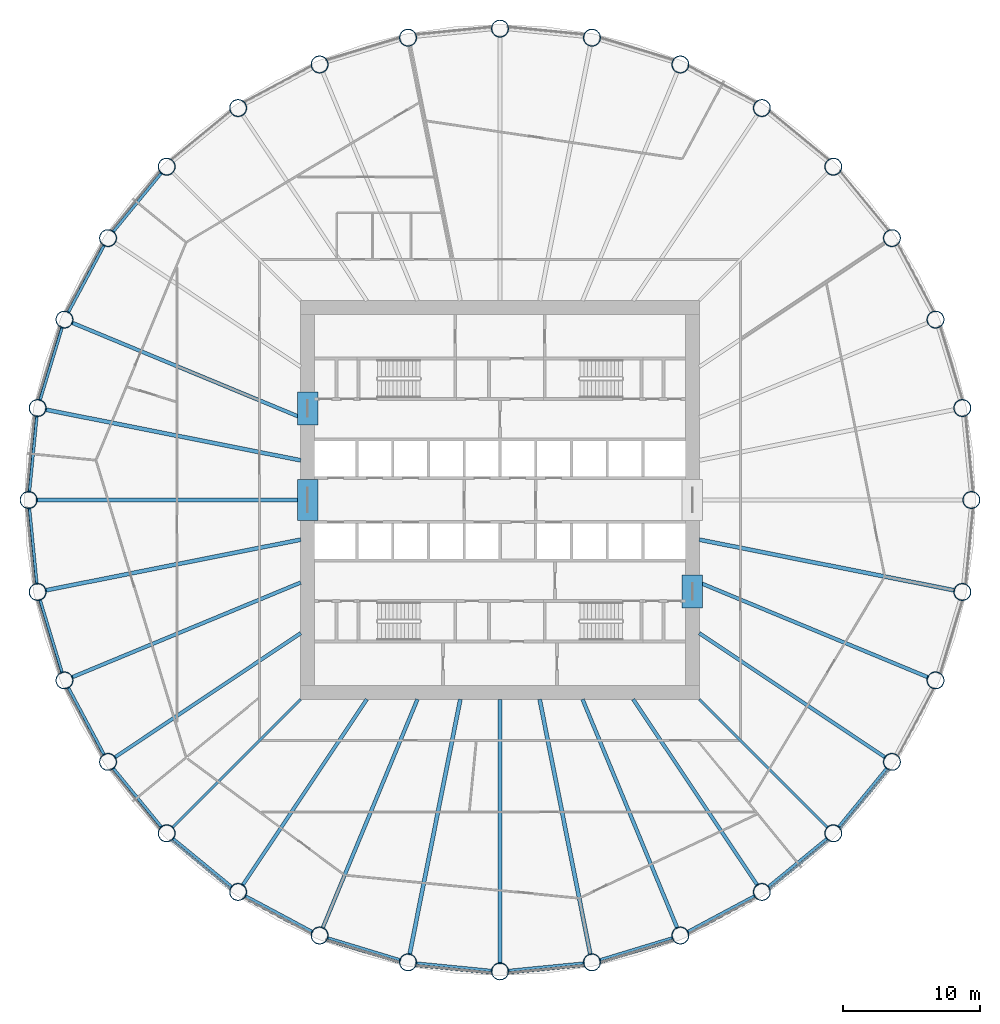
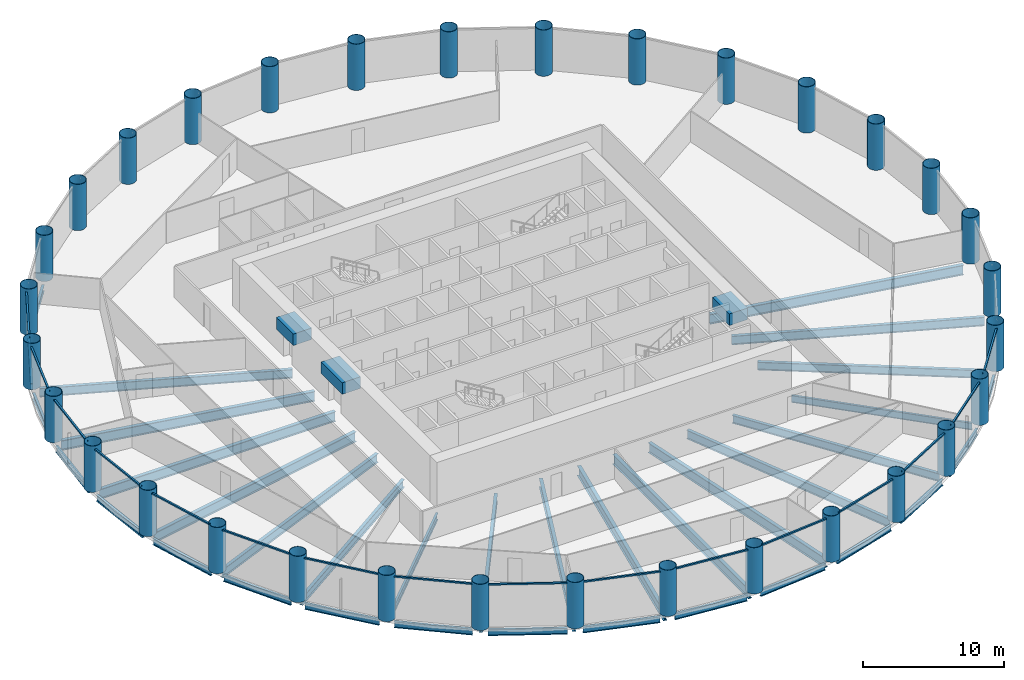
# One storey, part 1 of 8: 38 beams, 32 columns, 16 members, 16 elements without a shape of their own.
"""IFC4 building model written with IfcOpenShell, lengths in metres."""

from ifc_helpers import new_model, si_unit, direction, frame, origin, origin_2d, place, context, subcontext, project, spatial, rectangle, hollow_circle, i_section, extrude, material, material_profile, profile_set, type_object, element, aggregate, save


model = new_model("IFC4")

# Units and contexts
model_context = context("Model", 3, precision=1e-05, world=origin(), true_north=direction((0.0, 1.0)))
body_context = subcontext(model_context, "Body", "Model", "MODEL_VIEW")
ifc_project = project(units=[si_unit("LENGTHUNIT", "METRE"), si_unit("AREAUNIT", "SQUARE_METRE"), si_unit("VOLUMEUNIT", "CUBIC_METRE"), si_unit("PLANEANGLEUNIT", "RADIAN"), si_unit("MASSUNIT", "GRAM", prefix="KILO")], contexts=[model_context])

# Site, building, storey
site_placement = place(None, origin())
site = spatial("IfcSite", under=ifc_project, at=site_placement, CompositionType="ELEMENT")
building_placement = place(site_placement, origin())
building = spatial("IfcBuilding", under=site, at=building_placement, Name="Corvane Civic Tower", CompositionType="ELEMENT")
storey_placement = place(building_placement, frame((0.0, 0.0, 134.5)))
storey = spatial("IfcBuildingStorey", under=building, at=storey_placement, Name="L31", CompositionType="ELEMENT", Elevation=134.5)

# Columns
ifc_material_1 = material(Name="Steel ASTM A572 Gr 50", Category="steel")
ifc_material_profile_1 = material_profile(ifc_material_1, hollow_circle(Radius=0.625, WallThickness=0.035888671875, at=origin_2d()), Name="CHS1250X36")
ifc_profile_set_1 = profile_set([ifc_material_profile_1], Name="Steel ASTM A572 Gr 50")
column_type = type_object("IfcColumnType", Name="COMPOSITE COLUMN CHS1250X36", PredefinedType="COLUMN", material=ifc_profile_set_1)
for number, where, z_axis, x_axis, name in (
    (1, (0.0, 34.300048828125, 0.0), (0.0, 0.0, 1.0), (1.0, 0.0, 0.0), "COL-L31-B01"),
    (2, (6.691650390625, 33.640869140625, 0.0), (0.0, 0.0, 1.0), (1.0, 0.0, 0.0), "COL-L31-B02"),
    (3, (13.1259765625, 31.68896484375, 0.0), (0.0, 0.0, 1.0), (1.0, 0.0, 0.0), "COL-L31-B03"),
    (4, (19.05615234375, 28.519287109375, 0.0), (0.0, 0.0, 1.0), (1.0, 0.0, 0.0), "COL-L31-B04"),
    (5, (24.253662109375, 24.253662109375, 0.0), (0.0, 0.0, 1.0), (1.0, 0.0, 0.0), "COL-L31-B05"),
    (6, (28.519287109375, 19.05615234375, 0.0), (0.0, 0.0, 1.0), (1.0, 0.0, 0.0), "COL-L31-B06"),
    (7, (31.68896484375, 13.1259765625, 0.0), (0.0, 0.0, 1.0), (1.0, 0.0, 0.0), "COL-L31-B07"),
    (8, (33.640869140625, 6.691650390625, 0.0), (0.0, 0.0, 1.0), (1.0, 0.0, 0.0), "COL-L31-B08"),
    (9, (34.300048828125, 0.0, 0.0), (0.0, 0.0, 1.0), (1.0, 0.0, 0.0), "COL-L31-B09"),
    (10, (33.640869140625, -6.691650390625, 0.0), (0.0, 0.0, 1.0), (1.0, 0.0, 0.0), "COL-L31-B10"),
    (11, (31.68896484375, -13.1259765625, 0.0), (0.0, 0.0, 1.0), (1.0, 0.0, 0.0), "COL-L31-B11"),
    (12, (28.519287109375, -19.05615234375, 0.0), (0.0, 0.0, 1.0), (1.0, 0.0, 0.0), "COL-L31-B12"),
    (13, (24.253662109375, -24.253662109375, 0.0), (0.0, 0.0, 1.0), (1.0, 0.0, 0.0), "COL-L31-B13"),
    (14, (19.05615234375, -28.519287109375, 0.0), (0.0, 0.0, 1.0), (1.0, 0.0, 0.0), "COL-L31-B14"),
    (15, (13.1259765625, -31.68896484375, 0.0), (0.0, 0.0, 1.0), (1.0, 0.0, 0.0), "COL-L31-B15"),
    (16, (6.691650390625, -33.640869140625, 0.0), (0.0, 0.0, 1.0), (1.0, 0.0, 0.0), "COL-L31-B16"),
    (17, (0.0, -34.300048828125, 0.0), (0.0, 0.0, 1.0), (1.0, 0.0, 0.0), "COL-L31-B17"),
    (18, (-6.691650390625, -33.640869140625, 0.0), (0.0, 0.0, 1.0), (1.0, 0.0, 0.0), "COL-L31-B18"),
    (19, (-13.1259765625, -31.68896484375, 0.0), (0.0, 0.0, 1.0), (1.0, 0.0, 0.0), "COL-L31-B19"),
    (20, (-19.05615234375, -28.519287109375, 0.0), (0.0, 0.0, 1.0), (1.0, 0.0, 0.0), "COL-L31-B20"),
    (21, (-24.253662109375, -24.253662109375, 0.0), (0.0, 0.0, 1.0), (1.0, 0.0, 0.0), "COL-L31-B21"),
    (22, (-28.519287109375, -19.05615234375, 0.0), (0.0, 0.0, 1.0), (1.0, 0.0, 0.0), "COL-L31-B22"),
    (23, (-31.68896484375, -13.1259765625, 0.0), (0.0, 0.0, 1.0), (1.0, 0.0, 0.0), "COL-L31-B23"),
    (24, (-33.640869140625, -6.691650390625, 0.0), (0.0, 0.0, 1.0), (1.0, 0.0, 0.0), "COL-L31-B24"),
    (25, (-34.300048828125, 0.0, 0.0), (0.0, 0.0, 1.0), (1.0, 0.0, 0.0), "COL-L31-B25"),
    (26, (-33.640869140625, 6.691650390625, 0.0), (0.0, 0.0, 1.0), (1.0, 0.0, 0.0), "COL-L31-B26"),
    (27, (-31.68896484375, 13.1259765625, 0.0), (0.0, 0.0, 1.0), (1.0, 0.0, 0.0), "COL-L31-B27"),
    (28, (-28.519287109375, 19.05615234375, 0.0), (0.0, 0.0, 1.0), (1.0, 0.0, 0.0), "COL-L31-B28"),
    (29, (-24.253662109375, 24.253662109375, 0.0), (0.0, 0.0, 1.0), (1.0, 0.0, 0.0), "COL-L31-B29"),
    (30, (-19.05615234375, 28.519287109375, 0.0), (0.0, 0.0, 1.0), (1.0, 0.0, 0.0), "COL-L31-B30"),
    (31, (-13.1259765625, 31.68896484375, 0.0), (0.0, 0.0, 1.0), (1.0, 0.0, 0.0), "COL-L31-B31"),
    (32, (-6.691650390625, 33.640869140625, 0.0), (0.0, 0.0, 1.0), (1.0, 0.0, 0.0), "COL-L31-B32"),
):
    element("IfcColumn", number, at=place(storey_placement, frame(where, z_axis=z_axis, x_axis=x_axis)), inside=storey, type_object=column_type, Name=name, PredefinedType="COLUMN", context=body_context, shape_type="SweptSolid", body=[
        extrude(hollow_circle(Radius=0.625, WallThickness=0.035888671875, at=origin_2d()), origin(), (0.0, 0.0, 1.0), 4.0),
    ])

# Beams
ifc_material_2 = material(Name="Concrete C70/85", Category="concrete")
ifc_material_profile_2 = material_profile(ifc_material_2, rectangle(XDim=1.5, YDim=1.0, at=origin_2d()), Name="COUPLING BEAM 1500X1000")
ifc_profile_set_2 = profile_set([ifc_material_profile_2], Name="Concrete C70/85")
beam_type_1 = type_object("IfcBeamType", Name="COUPLING BEAM COUPLING BEAM 1500X1000", PredefinedType="BEAM", material=ifc_profile_set_2)
beam_1_placement = place(storey_placement, frame((-14.0, -1.5, 2.60009765625), z_axis=(0.0, 1.0, 0.0), x_axis=(-1.0, 0.0, 0.0)))
element("IfcBeam", 33, at=beam_1_placement, inside=storey, type_object=beam_type_1, Name="BM-L31-cpl-CW-LW", PredefinedType="BEAM", context=body_context, shape_type="SweptSolid", body=[
    extrude(rectangle(XDim=1.5, YDim=1.0, at=origin_2d()), origin(), (0.0, 0.0, 1.0), 3.0),
])
for number, where, z_axis, x_axis, name in (
    (34, (-14.0, 5.449951171875, 2.60009765625), (0.0, 1.0, 0.0), (-1.0, 0.0, 0.0), "BM-L31-cpl-CW-WN"),
    (35, (14.0, -7.85009765625, 2.60009765625), (0.0, 1.0, 0.0), (-1.0, 0.0, 0.0), "BM-L31-cpl-CW-ES"),
):
    element("IfcBeam", number, at=place(storey_placement, frame(where, z_axis=z_axis, x_axis=x_axis)), inside=storey, type_object=beam_type_1, Name=name, PredefinedType="BEAM", context=body_context, shape_type="SweptSolid", body=[
        extrude(rectangle(XDim=1.5, YDim=1.0, at=origin_2d()), origin(), (0.0, 0.0, 1.0), 2.400146484375),
    ])
ifc_material_3 = material(Name="Steel ASTM A992 Gr 50", Category="steel")
ifc_material_profile_3 = material_profile(ifc_material_3, i_section(OverallWidth=0.209228515625, OverallDepth=0.533447265625, WebThickness=0.01025390625, FlangeThickness=0.015625, at=origin_2d()), Name="W21X62")
ifc_profile_set_3 = profile_set([ifc_material_profile_3], Name="Steel ASTM A992 Gr 50")
beam_type_2 = type_object("IfcBeamType", Name="EDGE BEAM W21X62", PredefinedType="BEAM", material=ifc_profile_set_3)
for number, where, z_axis, x_axis, name in (
    (36, (28.17041015625, -19.481201171875, -0.566650390625), (-0.634397765782, -0.773006775372, 0.0), (0.773006775372, -0.634397765782, 0.0), "BM-L31-E12"),
    (37, (23.82861328125, -24.6025390625, -0.566650390625), (-0.773006775372, -0.634397765782, 0.0), (0.634397765782, -0.773006775372, 0.0), "BM-L31-E13"),
    (38, (18.571044921875, -28.778564453125, -0.566650390625), (-0.88192357867, -0.471392407008, 0.0), (0.471392407008, -0.88192357867, 0.0), "BM-L31-E14"),
):
    element("IfcBeam", number, at=place(storey_placement, frame(where, z_axis=z_axis, x_axis=x_axis)), inside=storey, type_object=beam_type_2, Name=name, PredefinedType="BEAM", context=body_context, shape_type="SweptSolid", body=[
        extrude(i_section(OverallWidth=0.209228515625, OverallDepth=0.533447265625, WebThickness=0.01025390625, FlangeThickness=0.015625, at=origin_2d()), origin(), (0.0, 0.0, 1.0), 5.6240234375),
    ])
beam_2_placement = place(storey_placement, frame((12.599609375, -31.8486328125, -0.566650390625), z_axis=(-0.956936367498, -0.290297758448, 0.0), x_axis=(0.290297758448, -0.956936367498, 0.0)))
element("IfcBeam", 39, at=beam_2_placement, inside=storey, type_object=beam_type_2, Name="BM-L31-E15", PredefinedType="BEAM", context=body_context, shape_type="SweptSolid", body=[
    extrude(i_section(OverallWidth=0.209228515625, OverallDepth=0.533447265625, WebThickness=0.01025390625, FlangeThickness=0.015625, at=origin_2d()), origin(), (0.0, 0.0, 1.0), 5.623779296875),
])
for number, where, z_axis, x_axis, name in (
    (40, (6.144287109375, -33.69482421875, -0.566650390625), (-0.995184368522, -0.098020776625, 0.0), (0.098020776625, -0.995184368522, 0.0), "BM-L31-E16"),
    (41, (-0.54736328125, -34.24609375, -0.566650390625), (-0.995184368522, 0.098020776625, 0.0), (-0.098020776625, -0.995184368522, 0.0), "BM-L31-E17"),
):
    element("IfcBeam", number, at=place(storey_placement, frame(where, z_axis=z_axis, x_axis=x_axis)), inside=storey, type_object=beam_type_2, Name=name, PredefinedType="BEAM", context=body_context, shape_type="SweptSolid", body=[
        extrude(i_section(OverallWidth=0.209228515625, OverallDepth=0.533447265625, WebThickness=0.01025390625, FlangeThickness=0.015625, at=origin_2d()), origin(), (0.0, 0.0, 1.0), 5.6240234375),
    ])
beam_3_placement = place(storey_placement, frame((-7.218017578125, -33.481201171875, -0.566650390625), z_axis=(-0.956936367498, 0.290297758448, 0.0), x_axis=(-0.290297758448, -0.956936367498, 0.0)))
element("IfcBeam", 42, at=beam_3_placement, inside=storey, type_object=beam_type_2, Name="BM-L31-E18", PredefinedType="BEAM", context=body_context, shape_type="SweptSolid", body=[
    extrude(i_section(OverallWidth=0.209228515625, OverallDepth=0.533447265625, WebThickness=0.01025390625, FlangeThickness=0.015625, at=origin_2d()), origin(), (0.0, 0.0, 1.0), 5.623779296875),
])
for number, where, z_axis, x_axis, name in (
    (43, (-13.611083984375, -31.4296875, -0.566650390625), (-0.88192357867, 0.471392407008, 0.0), (-0.471392407008, -0.88192357867, 0.0), "BM-L31-E19"),
    (44, (-19.481201171875, -28.17041015625, -0.566650390625), (-0.773006775372, 0.634397765782, 0.0), (-0.634397765782, -0.773006775372, 0.0), "BM-L31-E20"),
    (45, (-24.6025390625, -23.82861328125, -0.566650390625), (-0.634397765782, 0.773006775372, 0.0), (-0.773006775372, -0.634397765782, 0.0), "BM-L31-E21"),
    (46, (-28.778564453125, -18.571044921875, -0.566650390625), (-0.471392407008, 0.88192357867, 0.0), (-0.88192357867, -0.471392407008, 0.0), "BM-L31-E22"),
):
    element("IfcBeam", number, at=place(storey_placement, frame(where, z_axis=z_axis, x_axis=x_axis)), inside=storey, type_object=beam_type_2, Name=name, PredefinedType="BEAM", context=body_context, shape_type="SweptSolid", body=[
        extrude(i_section(OverallWidth=0.209228515625, OverallDepth=0.533447265625, WebThickness=0.01025390625, FlangeThickness=0.015625, at=origin_2d()), origin(), (0.0, 0.0, 1.0), 5.6240234375),
    ])
beam_4_placement = place(storey_placement, frame((-31.8486328125, -12.599609375, -0.566650390625), z_axis=(-0.290297758448, 0.956936367498, 0.0), x_axis=(-0.956936367498, -0.290297758448, 0.0)))
element("IfcBeam", 47, at=beam_4_placement, inside=storey, type_object=beam_type_2, Name="BM-L31-E23", PredefinedType="BEAM", context=body_context, shape_type="SweptSolid", body=[
    extrude(i_section(OverallWidth=0.209228515625, OverallDepth=0.533447265625, WebThickness=0.01025390625, FlangeThickness=0.015625, at=origin_2d()), origin(), (0.0, 0.0, 1.0), 5.623779296875),
])
for number, where, z_axis, x_axis, name in (
    (48, (-33.69482421875, -6.144287109375, -0.566650390625), (-0.098020776625, 0.995184368522, 0.0), (-0.995184368522, -0.098020776625, 0.0), "BM-L31-E24"),
    (49, (-34.24609375, 0.54736328125, -0.566650390625), (0.098020776625, 0.995184368522, 0.0), (-0.995184368522, 0.098020776625, 0.0), "BM-L31-E25"),
):
    element("IfcBeam", number, at=place(storey_placement, frame(where, z_axis=z_axis, x_axis=x_axis)), inside=storey, type_object=beam_type_2, Name=name, PredefinedType="BEAM", context=body_context, shape_type="SweptSolid", body=[
        extrude(i_section(OverallWidth=0.209228515625, OverallDepth=0.533447265625, WebThickness=0.01025390625, FlangeThickness=0.015625, at=origin_2d()), origin(), (0.0, 0.0, 1.0), 5.6240234375),
    ])
beam_5_placement = place(storey_placement, frame((-33.481201171875, 7.218017578125, -0.566650390625), z_axis=(0.290297758448, 0.956936367498, 0.0), x_axis=(-0.956936367498, 0.290297758448, 0.0)))
element("IfcBeam", 50, at=beam_5_placement, inside=storey, type_object=beam_type_2, Name="BM-L31-E26", PredefinedType="BEAM", context=body_context, shape_type="SweptSolid", body=[
    extrude(i_section(OverallWidth=0.209228515625, OverallDepth=0.533447265625, WebThickness=0.01025390625, FlangeThickness=0.015625, at=origin_2d()), origin(), (0.0, 0.0, 1.0), 5.623779296875),
])
for number, where, z_axis, x_axis, name in (
    (51, (-31.4296875, 13.611083984375, -0.566650390625), (0.471392407008, 0.88192357867, 0.0), (-0.88192357867, 0.471392407008, 0.0), "BM-L31-E27"),
    (52, (-28.17041015625, 19.481201171875, -0.566650390625), (0.634397765782, 0.773006775372, 0.0), (-0.773006775372, 0.634397765782, 0.0), "BM-L31-E28"),
):
    element("IfcBeam", number, at=place(storey_placement, frame(where, z_axis=z_axis, x_axis=x_axis)), inside=storey, type_object=beam_type_2, Name=name, PredefinedType="BEAM", context=body_context, shape_type="SweptSolid", body=[
        extrude(i_section(OverallWidth=0.209228515625, OverallDepth=0.533447265625, WebThickness=0.01025390625, FlangeThickness=0.015625, at=origin_2d()), origin(), (0.0, 0.0, 1.0), 5.6240234375),
    ])
ifc_material_4 = material(Name="Steel ASTM A992 Gr 50", Category="steel")
ifc_material_profile_4 = material_profile(ifc_material_4, i_section(OverallWidth=0.177978515625, OverallDepth=0.599365234375, WebThickness=0.010009765625, FlangeThickness=0.012939453125, at=origin_2d()), Name="W24X55")
ifc_profile_set_4 = profile_set([ifc_material_profile_4], Name="Steel ASTM A992 Gr 50")
beam_type_3 = type_object("IfcBeamType", Name="FLOOR GIRDER W24X55", PredefinedType="BEAM", material=ifc_profile_set_4)
for number, where, z_axis, x_axis, name in (
    (53, (14.5, -14.5, -0.599609375), (0.707106781187, -0.707106781187, 0.0), (0.707106781187, 0.707106781187, 0.0), "BM-L31-G13"),
    (54, (-14.5, -14.5, -0.599609375), (-0.707106781187, -0.707106781187, 0.0), (0.707106781187, -0.707106781187, 0.0), "BM-L31-G21"),
):
    element("IfcBeam", number, at=place(storey_placement, frame(where, z_axis=z_axis, x_axis=x_axis)), inside=storey, type_object=beam_type_3, Name=name, PredefinedType="BEAM", context=body_context, shape_type="SweptSolid", body=[
        extrude(i_section(OverallWidth=0.177978515625, OverallDepth=0.599365234375, WebThickness=0.010009765625, FlangeThickness=0.012939453125, at=origin_2d()), origin(), (0.0, 0.0, 1.0), 13.24365234375),
    ])
ifc_material_5 = material(Name="Steel ASTM A992 Gr 50", Category="steel")
ifc_material_profile_5 = material_profile(ifc_material_5, i_section(OverallWidth=0.256591796875, OverallDepth=0.693359375, WebThickness=0.014404296875, FlangeThickness=0.023681640625, at=origin_2d()), Name="W27X114")
ifc_profile_set_5 = profile_set([ifc_material_profile_5], Name="Steel ASTM A992 Gr 50")
beam_type_4 = type_object("IfcBeamType", Name="FLOOR GIRDER W27X114", PredefinedType="BEAM", material=ifc_profile_set_5)
for number, where, z_axis, x_axis, name in (
    (55, (14.5, -9.6884765625, -0.646728515625), (0.83146493365, -0.555577235054, 0.0), (0.555577235054, 0.83146493365, 0.0), "BM-L31-G12"),
    (56, (9.6884765625, -14.5, -0.646728515625), (0.555577235054, -0.83146493365, 0.0), (0.83146493365, 0.555577235054, 0.0), "BM-L31-G14"),
    (57, (-9.6884765625, -14.5, -0.646728515625), (-0.555577235054, -0.83146493365, 0.0), (0.83146493365, -0.555577235054, 0.0), "BM-L31-G20"),
    (58, (-14.5, -9.6884765625, -0.646728515625), (-0.83146493365, -0.555577235054, 0.0), (0.555577235054, -0.83146493365, 0.0), "BM-L31-G22"),
):
    element("IfcBeam", number, at=place(storey_placement, frame(where, z_axis=z_axis, x_axis=x_axis)), inside=storey, type_object=beam_type_4, Name=name, PredefinedType="BEAM", context=body_context, shape_type="SweptSolid", body=[
        extrude(i_section(OverallWidth=0.256591796875, OverallDepth=0.693359375, WebThickness=0.014404296875, FlangeThickness=0.023681640625, at=origin_2d()), origin(), (0.0, 0.0, 1.0), 16.31103515625),
    ])
ifc_material_6 = material(Name="Steel ASTM A992 Gr 50", Category="steel")
ifc_material_profile_6 = material_profile(ifc_material_6, i_section(OverallWidth=0.2666015625, OverallDepth=0.7568359375, WebThickness=0.013916015625, FlangeThickness=0.019287109375, at=origin_2d()), Name="W30X108")
ifc_profile_set_6 = profile_set([ifc_material_profile_6], Name="Steel ASTM A992 Gr 50")
beam_type_5 = type_object("IfcBeamType", Name="FLOOR GIRDER W30X108", PredefinedType="BEAM", material=ifc_profile_set_6)
for number, where, z_axis, x_axis, name in (
    (59, (14.5, -6.006103515625, -0.678466796875), (0.923880209691, -0.382681797504, 0.0), (0.382681797504, 0.923880209691, 0.0), "BM-L31-G11"),
    (60, (6.006103515625, -14.5, -0.678466796875), (0.382681797504, -0.923880209691, 0.0), (0.923880209691, 0.382681797504, 0.0), "BM-L31-G15"),
    (61, (-6.006103515625, -14.5, -0.678466796875), (-0.382681797504, -0.923880209691, 0.0), (0.923880209691, -0.382681797504, 0.0), "BM-L31-G19"),
    (62, (-14.5, -6.006103515625, -0.678466796875), (-0.923880209691, -0.382681797504, 0.0), (0.382681797504, -0.923880209691, 0.0), "BM-L31-G23"),
    (63, (-14.5, 6.006103515625, -0.678466796875), (-0.923880209691, 0.382681797504, 0.0), (-0.382681797504, -0.923880209691, 0.0), "BM-L31-G27"),
):
    element("IfcBeam", number, at=place(storey_placement, frame(where, z_axis=z_axis, x_axis=x_axis)), inside=storey, type_object=beam_type_5, Name=name, PredefinedType="BEAM", context=body_context, shape_type="SweptSolid", body=[
        extrude(i_section(OverallWidth=0.2666015625, OverallDepth=0.7568359375, WebThickness=0.013916015625, FlangeThickness=0.019287109375, at=origin_2d()), origin(), (0.0, 0.0, 1.0), 18.05517578125),
    ])
ifc_material_7 = material(Name="Steel ASTM A992 Gr 50", Category="steel")
ifc_material_profile_7 = material_profile(ifc_material_7, i_section(OverallWidth=0.2919921875, OverallDepth=0.8583984375, WebThickness=0.01708984375, FlangeThickness=0.031005859375, at=origin_2d()), Name="W33X169")
ifc_profile_set_7 = profile_set([ifc_material_profile_7], Name="Steel ASTM A992 Gr 50")
beam_type_6 = type_object("IfcBeamType", Name="FLOOR GIRDER W33X169", PredefinedType="BEAM", material=ifc_profile_set_7)
for number, where, z_axis, x_axis, name in (
    (64, (14.5, -2.88427734375, -0.729248046875), (0.9807865885, -0.195083745652, 0.0), (0.195083745652, 0.9807865885, 0.0), "BM-L31-G10"),
    (65, (2.88427734375, -14.5, -0.729248046875), (0.195083745652, -0.9807865885, 0.0), (0.9807865885, 0.195083745652, 0.0), "BM-L31-G16"),
):
    element("IfcBeam", number, at=place(storey_placement, frame(where, z_axis=z_axis, x_axis=x_axis)), inside=storey, type_object=beam_type_6, Name=name, PredefinedType="BEAM", context=body_context, shape_type="SweptSolid", body=[
        extrude(i_section(OverallWidth=0.2919921875, OverallDepth=0.8583984375, WebThickness=0.01708984375, FlangeThickness=0.031005859375, at=origin_2d()), origin(), (0.0, 0.0, 1.0), 18.966064453125),
    ])
beam_6_placement = place(storey_placement, frame((0.0, -14.5, -0.729248046875), z_axis=(0.0, -1.0, 0.0), x_axis=(1.0, 0.0, 0.0)))
element("IfcBeam", 66, at=beam_6_placement, inside=storey, type_object=beam_type_6, Name="BM-L31-G17", PredefinedType="BEAM", context=body_context, shape_type="SweptSolid", body=[
    extrude(i_section(OverallWidth=0.2919921875, OverallDepth=0.8583984375, WebThickness=0.01708984375, FlangeThickness=0.031005859375, at=origin_2d()), origin(), (0.0, 0.0, 1.0), 19.25),
])
for number, where, z_axis, x_axis, name in (
    (67, (-2.88427734375, -14.5, -0.729248046875), (-0.195083745652, -0.9807865885, 0.0), (0.9807865885, -0.195083745652, 0.0), "BM-L31-G18"),
    (68, (-14.5, -2.88427734375, -0.729248046875), (-0.9807865885, -0.195083745652, 0.0), (0.195083745652, -0.9807865885, 0.0), "BM-L31-G24"),
):
    element("IfcBeam", number, at=place(storey_placement, frame(where, z_axis=z_axis, x_axis=x_axis)), inside=storey, type_object=beam_type_6, Name=name, PredefinedType="BEAM", context=body_context, shape_type="SweptSolid", body=[
        extrude(i_section(OverallWidth=0.2919921875, OverallDepth=0.8583984375, WebThickness=0.01708984375, FlangeThickness=0.031005859375, at=origin_2d()), origin(), (0.0, 0.0, 1.0), 18.966064453125),
    ])
beam_7_placement = place(storey_placement, frame((-14.5, 0.0, -0.729248046875), z_axis=(-1.0, 0.0, 0.0), x_axis=(0.0, -1.0, 0.0)))
element("IfcBeam", 69, at=beam_7_placement, inside=storey, type_object=beam_type_6, Name="BM-L31-G25", PredefinedType="BEAM", context=body_context, shape_type="SweptSolid", body=[
    extrude(i_section(OverallWidth=0.2919921875, OverallDepth=0.8583984375, WebThickness=0.01708984375, FlangeThickness=0.031005859375, at=origin_2d()), origin(), (0.0, 0.0, 1.0), 19.25),
])
beam_8_placement = place(storey_placement, frame((-14.5, 2.88427734375, -0.729248046875), z_axis=(-0.9807865885, 0.195083745652, 0.0), x_axis=(-0.195083745652, -0.9807865885, 0.0)))
element("IfcBeam", 70, at=beam_8_placement, inside=storey, type_object=beam_type_6, Name="BM-L31-G26", PredefinedType="BEAM", context=body_context, shape_type="SweptSolid", body=[
    extrude(i_section(OverallWidth=0.2919921875, OverallDepth=0.8583984375, WebThickness=0.01708984375, FlangeThickness=0.031005859375, at=origin_2d()), origin(), (0.0, 0.0, 1.0), 18.966064453125),
])

# Curtain wall, member
ifc_material_8 = material(Name="Anodised aluminium bronze", Category="aluminium")
curtain_wall_type = type_object("IfcCurtainWallType", Name="TOWER CW-T1 STICK CURTAIN WALL", PredefinedType="NOTDEFINED", material=ifc_material_8)
curtain_wall_1_placement = place(storey_placement, origin())
curtain_wall_1 = element("IfcCurtainWall", 71, at=curtain_wall_1_placement, inside=storey, type_object=curtain_wall_type, Name="Curtain wall CW-T1 L31 bay 12", PredefinedType="NOTDEFINED")
ifc_material_9 = material(Name="Anodised aluminium bronze", Category="aluminium")
ifc_material_profile_8 = material_profile(ifc_material_9, rectangle(XDim=0.139892578125, YDim=0.1201171875, at=origin_2d()), Name="TOWER CW-T1 TRANSOM 140x120")
ifc_profile_set_8 = profile_set([ifc_material_profile_8], Name="Anodised aluminium bronze")
member_type = type_object("IfcMemberType", Name="TOWER CW-T1 TRANSOM 140x120", PredefinedType="USERDEFINED", material=ifc_profile_set_8)
member_1_placement = place(storey_placement, frame((28.297119140625, -19.609619140625, 3.68994140625), z_axis=(-0.634410369295, -0.772996431642, 0.0), x_axis=(0.772996431642, -0.634410369295, 0.0)))
member_1 = element("IfcMember", 72, at=member_1_placement, type_object=member_type, Name="Transom CW-T1 L31 12.1", ObjectType="TRANSOM", PredefinedType="USERDEFINED", context=body_context, shape_type="SweptSolid", body=[
    extrude(rectangle(XDim=0.139892578125, YDim=0.1201171875, at=origin_2d()), origin(), (0.0, 0.0, 1.0), 5.586181640625),
])
aggregate(curtain_wall_1, [member_1])

curtain_wall_2_placement = place(storey_placement, origin())
curtain_wall_2 = element("IfcCurtainWall", 73, at=curtain_wall_2_placement, inside=storey, type_object=curtain_wall_type, Name="Curtain wall CW-T1 L31 bay 13", PredefinedType="NOTDEFINED")
member_2_placement = place(storey_placement, frame((23.927734375, -24.753173828125, 3.68994140625), z_axis=(-0.772996431642, -0.634410369295, 0.0), x_axis=(0.634410369295, -0.772996431642, 0.0)))
member_2 = element("IfcMember", 74, at=member_2_placement, type_object=member_type, Name="Transom CW-T1 L31 13.1", ObjectType="TRANSOM", PredefinedType="USERDEFINED", context=body_context, shape_type="SweptSolid", body=[
    extrude(rectangle(XDim=0.139892578125, YDim=0.1201171875, at=origin_2d()), origin(), (0.0, 0.0, 1.0), 5.586181640625),
])
aggregate(curtain_wall_2, [member_2])

curtain_wall_3_placement = place(storey_placement, origin())
curtain_wall_3 = element("IfcCurtainWall", 75, at=curtain_wall_3_placement, inside=storey, type_object=curtain_wall_type, Name="Curtain wall CW-T1 L31 bay 14", PredefinedType="NOTDEFINED")
member_3_placement = place(storey_placement, frame((18.63916015625, -28.945556640625, 3.68994140625), z_axis=(-0.881920705407, -0.47139778253, 0.0), x_axis=(0.47139778253, -0.881920705407, 0.0)))
member_3 = element("IfcMember", 76, at=member_3_placement, type_object=member_type, Name="Transom CW-T1 L31 14.1", ObjectType="TRANSOM", PredefinedType="USERDEFINED", context=body_context, shape_type="SweptSolid", body=[
    extrude(rectangle(XDim=0.139892578125, YDim=0.1201171875, at=origin_2d()), origin(), (0.0, 0.0, 1.0), 5.586669921875),
])
aggregate(curtain_wall_3, [member_3])

curtain_wall_4_placement = place(storey_placement, origin())
curtain_wall_4 = element("IfcCurtainWall", 77, at=curtain_wall_4_placement, inside=storey, type_object=curtain_wall_type, Name="Curtain wall CW-T1 L31 bay 15", PredefinedType="NOTDEFINED")
member_4_placement = place(storey_placement, frame((12.6337890625, -32.025634765625, 3.68994140625), z_axis=(-0.956944977029, -0.290269376509, 0.0), x_axis=(0.290269376509, -0.956944977029, 0.0)))
member_4 = element("IfcMember", 78, at=member_4_placement, type_object=member_type, Name="Transom CW-T1 L31 15.1", ObjectType="TRANSOM", PredefinedType="USERDEFINED", context=body_context, shape_type="SweptSolid", body=[
    extrude(rectangle(XDim=0.139892578125, YDim=0.1201171875, at=origin_2d()), origin(), (0.0, 0.0, 1.0), 5.58642578125),
])
aggregate(curtain_wall_4, [member_4])

curtain_wall_5_placement = place(storey_placement, origin())
curtain_wall_5 = element("IfcCurtainWall", 79, at=curtain_wall_5_placement, inside=storey, type_object=curtain_wall_type, Name="Curtain wall CW-T1 L31 bay 16", PredefinedType="NOTDEFINED")
member_5_placement = place(storey_placement, frame((6.14306640625, -33.874755859375, 3.68994140625), z_axis=(-0.995179807033, -0.098067077419, 0.0), x_axis=(0.098067077419, -0.995179807033, 0.0)))
member_5 = element("IfcMember", 80, at=member_5_placement, type_object=member_type, Name="Transom CW-T1 L31 16.1", ObjectType="TRANSOM", PredefinedType="USERDEFINED", context=body_context, shape_type="SweptSolid", body=[
    extrude(rectangle(XDim=0.139892578125, YDim=0.1201171875, at=origin_2d()), origin(), (0.0, 0.0, 1.0), 5.58642578125),
])
aggregate(curtain_wall_5, [member_5])

curtain_wall_6_placement = place(storey_placement, origin())
curtain_wall_6 = element("IfcCurtainWall", 81, at=curtain_wall_6_placement, inside=storey, type_object=curtain_wall_type, Name="Curtain wall CW-T1 L31 bay 17", PredefinedType="NOTDEFINED")
member_6_placement = place(storey_placement, frame((-0.58349609375, -34.422607421875, 3.68994140625), z_axis=(-0.995179807033, 0.098067077419, 0.0), x_axis=(-0.098067077419, -0.995179807033, 0.0)))
member_6 = element("IfcMember", 82, at=member_6_placement, type_object=member_type, Name="Transom CW-T1 L31 17.1", ObjectType="TRANSOM", PredefinedType="USERDEFINED", context=body_context, shape_type="SweptSolid", body=[
    extrude(rectangle(XDim=0.139892578125, YDim=0.1201171875, at=origin_2d()), origin(), (0.0, 0.0, 1.0), 5.58642578125),
])
aggregate(curtain_wall_6, [member_6])

curtain_wall_7_placement = place(storey_placement, origin())
curtain_wall_7 = element("IfcCurtainWall", 83, at=curtain_wall_7_placement, inside=storey, type_object=curtain_wall_type, Name="Curtain wall CW-T1 L31 bay 18", PredefinedType="NOTDEFINED")
member_7_placement = place(storey_placement, frame((-7.287841796875, -33.647216796875, 3.68994140625), z_axis=(-0.956944977029, 0.290269376509, 0.0), x_axis=(-0.290269376509, -0.956944977029, 0.0)))
member_7 = element("IfcMember", 84, at=member_7_placement, type_object=member_type, Name="Transom CW-T1 L31 18.1", ObjectType="TRANSOM", PredefinedType="USERDEFINED", context=body_context, shape_type="SweptSolid", body=[
    extrude(rectangle(XDim=0.139892578125, YDim=0.1201171875, at=origin_2d()), origin(), (0.0, 0.0, 1.0), 5.58642578125),
])
aggregate(curtain_wall_7, [member_7])

curtain_wall_8_placement = place(storey_placement, origin())
curtain_wall_8 = element("IfcCurtainWall", 85, at=curtain_wall_8_placement, inside=storey, type_object=curtain_wall_type, Name="Curtain wall CW-T1 L31 bay 19", PredefinedType="NOTDEFINED")
member_8_placement = place(storey_placement, frame((-13.712158203125, -31.5791015625, 3.68994140625), z_axis=(-0.881920705407, 0.47139778253, 0.0), x_axis=(-0.47139778253, -0.881920705407, 0.0)))
member_8 = element("IfcMember", 86, at=member_8_placement, type_object=member_type, Name="Transom CW-T1 L31 19.1", ObjectType="TRANSOM", PredefinedType="USERDEFINED", context=body_context, shape_type="SweptSolid", body=[
    extrude(rectangle(XDim=0.139892578125, YDim=0.1201171875, at=origin_2d()), origin(), (0.0, 0.0, 1.0), 5.586669921875),
])
aggregate(curtain_wall_8, [member_8])

curtain_wall_9_placement = place(storey_placement, origin())
curtain_wall_9 = element("IfcCurtainWall", 87, at=curtain_wall_9_placement, inside=storey, type_object=curtain_wall_type, Name="Curtain wall CW-T1 L31 bay 20", PredefinedType="NOTDEFINED")
member_9_placement = place(storey_placement, frame((-19.609619140625, -28.297119140625, 3.68994140625), z_axis=(-0.772996431642, 0.634410369295, 0.0), x_axis=(-0.634410369295, -0.772996431642, 0.0)))
member_9 = element("IfcMember", 88, at=member_9_placement, type_object=member_type, Name="Transom CW-T1 L31 20.1", ObjectType="TRANSOM", PredefinedType="USERDEFINED", context=body_context, shape_type="SweptSolid", body=[
    extrude(rectangle(XDim=0.139892578125, YDim=0.1201171875, at=origin_2d()), origin(), (0.0, 0.0, 1.0), 5.586181640625),
])
aggregate(curtain_wall_9, [member_9])

curtain_wall_10_placement = place(storey_placement, origin())
curtain_wall_10 = element("IfcCurtainWall", 89, at=curtain_wall_10_placement, inside=storey, type_object=curtain_wall_type, Name="Curtain wall CW-T1 L31 bay 21", PredefinedType="NOTDEFINED")
member_10_placement = place(storey_placement, frame((-24.753173828125, -23.927734375, 3.68994140625), z_axis=(-0.634410369295, 0.772996431642, 0.0), x_axis=(-0.772996431642, -0.634410369295, 0.0)))
member_10 = element("IfcMember", 90, at=member_10_placement, type_object=member_type, Name="Transom CW-T1 L31 21.1", ObjectType="TRANSOM", PredefinedType="USERDEFINED", context=body_context, shape_type="SweptSolid", body=[
    extrude(rectangle(XDim=0.139892578125, YDim=0.1201171875, at=origin_2d()), origin(), (0.0, 0.0, 1.0), 5.586181640625),
])
aggregate(curtain_wall_10, [member_10])

curtain_wall_11_placement = place(storey_placement, origin())
curtain_wall_11 = element("IfcCurtainWall", 91, at=curtain_wall_11_placement, inside=storey, type_object=curtain_wall_type, Name="Curtain wall CW-T1 L31 bay 22", PredefinedType="NOTDEFINED")
member_11_placement = place(storey_placement, frame((-28.945556640625, -18.63916015625, 3.68994140625), z_axis=(-0.47139778253, 0.881920705407, 0.0), x_axis=(-0.881920705407, -0.47139778253, 0.0)))
member_11 = element("IfcMember", 92, at=member_11_placement, type_object=member_type, Name="Transom CW-T1 L31 22.1", ObjectType="TRANSOM", PredefinedType="USERDEFINED", context=body_context, shape_type="SweptSolid", body=[
    extrude(rectangle(XDim=0.139892578125, YDim=0.1201171875, at=origin_2d()), origin(), (0.0, 0.0, 1.0), 5.586669921875),
])
aggregate(curtain_wall_11, [member_11])

curtain_wall_12_placement = place(storey_placement, origin())
curtain_wall_12 = element("IfcCurtainWall", 93, at=curtain_wall_12_placement, inside=storey, type_object=curtain_wall_type, Name="Curtain wall CW-T1 L31 bay 23", PredefinedType="NOTDEFINED")
member_12_placement = place(storey_placement, frame((-32.025634765625, -12.6337890625, 3.68994140625), z_axis=(-0.290269376509, 0.956944977029, 0.0), x_axis=(-0.956944977029, -0.290269376509, 0.0)))
member_12 = element("IfcMember", 94, at=member_12_placement, type_object=member_type, Name="Transom CW-T1 L31 23.1", ObjectType="TRANSOM", PredefinedType="USERDEFINED", context=body_context, shape_type="SweptSolid", body=[
    extrude(rectangle(XDim=0.139892578125, YDim=0.1201171875, at=origin_2d()), origin(), (0.0, 0.0, 1.0), 5.58642578125),
])
aggregate(curtain_wall_12, [member_12])

curtain_wall_13_placement = place(storey_placement, origin())
curtain_wall_13 = element("IfcCurtainWall", 95, at=curtain_wall_13_placement, inside=storey, type_object=curtain_wall_type, Name="Curtain wall CW-T1 L31 bay 24", PredefinedType="NOTDEFINED")
member_13_placement = place(storey_placement, frame((-33.874755859375, -6.14306640625, 3.68994140625), z_axis=(-0.098067077419, 0.995179807033, 0.0), x_axis=(-0.995179807033, -0.098067077419, 0.0)))
member_13 = element("IfcMember", 96, at=member_13_placement, type_object=member_type, Name="Transom CW-T1 L31 24.1", ObjectType="TRANSOM", PredefinedType="USERDEFINED", context=body_context, shape_type="SweptSolid", body=[
    extrude(rectangle(XDim=0.139892578125, YDim=0.1201171875, at=origin_2d()), origin(), (0.0, 0.0, 1.0), 5.58642578125),
])
aggregate(curtain_wall_13, [member_13])

curtain_wall_14_placement = place(storey_placement, origin())
curtain_wall_14 = element("IfcCurtainWall", 97, at=curtain_wall_14_placement, inside=storey, type_object=curtain_wall_type, Name="Curtain wall CW-T1 L31 bay 25", PredefinedType="NOTDEFINED")
member_14_placement = place(storey_placement, frame((-34.422607421875, 0.58349609375, 3.68994140625), z_axis=(0.098067077419, 0.995179807033, 0.0), x_axis=(-0.995179807033, 0.098067077419, 0.0)))
member_14 = element("IfcMember", 98, at=member_14_placement, type_object=member_type, Name="Transom CW-T1 L31 25.1", ObjectType="TRANSOM", PredefinedType="USERDEFINED", context=body_context, shape_type="SweptSolid", body=[
    extrude(rectangle(XDim=0.139892578125, YDim=0.1201171875, at=origin_2d()), origin(), (0.0, 0.0, 1.0), 5.58642578125),
])
aggregate(curtain_wall_14, [member_14])

curtain_wall_15_placement = place(storey_placement, origin())
curtain_wall_15 = element("IfcCurtainWall", 99, at=curtain_wall_15_placement, inside=storey, type_object=curtain_wall_type, Name="Curtain wall CW-T1 L31 bay 26", PredefinedType="NOTDEFINED")
member_15_placement = place(storey_placement, frame((-33.647216796875, 7.287841796875, 3.68994140625), z_axis=(0.290269376509, 0.956944977029, 0.0), x_axis=(-0.956944977029, 0.290269376509, 0.0)))
member_15 = element("IfcMember", 100, at=member_15_placement, type_object=member_type, Name="Transom CW-T1 L31 26.1", ObjectType="TRANSOM", PredefinedType="USERDEFINED", context=body_context, shape_type="SweptSolid", body=[
    extrude(rectangle(XDim=0.139892578125, YDim=0.1201171875, at=origin_2d()), origin(), (0.0, 0.0, 1.0), 5.58642578125),
])
aggregate(curtain_wall_15, [member_15])

curtain_wall_16_placement = place(storey_placement, origin())
curtain_wall_16 = element("IfcCurtainWall", 101, at=curtain_wall_16_placement, inside=storey, type_object=curtain_wall_type, Name="Curtain wall CW-T1 L31 bay 27", PredefinedType="NOTDEFINED")
member_16_placement = place(storey_placement, frame((-31.5791015625, 13.712158203125, 3.68994140625), z_axis=(0.47139778253, 0.881920705407, 0.0), x_axis=(-0.881920705407, 0.47139778253, 0.0)))
member_16 = element("IfcMember", 102, at=member_16_placement, type_object=member_type, Name="Transom CW-T1 L31 27.1", ObjectType="TRANSOM", PredefinedType="USERDEFINED", context=body_context, shape_type="SweptSolid", body=[
    extrude(rectangle(XDim=0.139892578125, YDim=0.1201171875, at=origin_2d()), origin(), (0.0, 0.0, 1.0), 5.586669921875),
])
aggregate(curtain_wall_16, [member_16])

save(model, "model.ifc")
